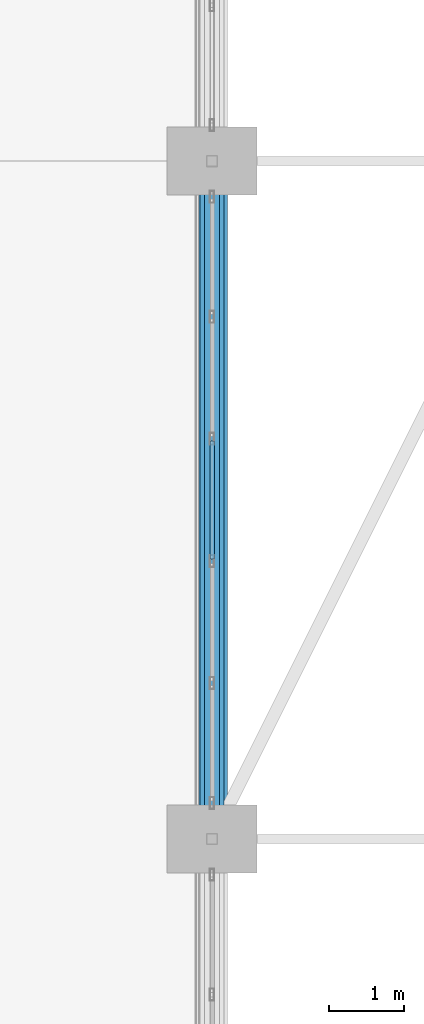
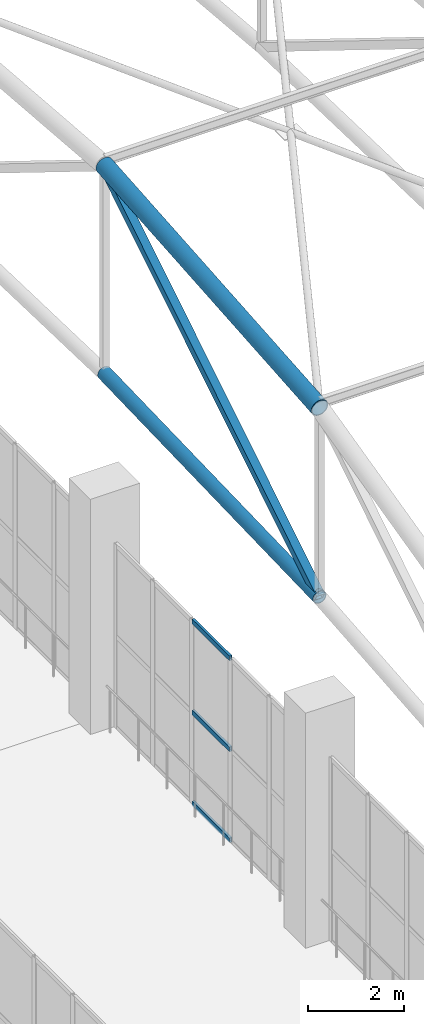
# One storey, part 111 of 223: 6 members, 1 element without a shape of its own.
"""IFC4 building model written with IfcOpenShell, lengths in metres."""

from ifc_helpers import new_model, si_unit, direction, frame, origin, origin_2d, place, context, subcontext, project, spatial, hollow_rectangle, hollow_circle, extrude, material, layer, layer_set, material_profile, profile_set, type_object, element, aggregate, save


model = new_model("IFC4")

# Units and contexts
model_context = context("Model", 3, precision=1e-05, world=origin(), true_north=direction((0.0, 1.0)))
body_context = subcontext(model_context, "Body", "Model", "MODEL_VIEW")
ifc_project = project(units=[si_unit("LENGTHUNIT", "METRE"), si_unit("AREAUNIT", "SQUARE_METRE"), si_unit("VOLUMEUNIT", "CUBIC_METRE"), si_unit("PLANEANGLEUNIT", "RADIAN"), si_unit("MASSUNIT", "GRAM", prefix="KILO")], contexts=[model_context])

# Site, building, storey
site_placement = place(None, origin())
site = spatial("IfcSite", under=ifc_project, at=site_placement, CompositionType="ELEMENT")
building_placement = place(site_placement, origin())
building = spatial("IfcBuilding", under=site, at=building_placement, Name="Dornveld Trade and Exhibition Forum", CompositionType="ELEMENT")
storey_placement = place(building_placement, frame((0.0, 0.0, 6.0)))
storey = spatial("IfcBuildingStorey", under=building, at=storey_placement, Name="L01", CompositionType="ELEMENT", Elevation=6.0)

# Curtain wall, members
ifc_material_1 = material(Name="Dark-bronze anodised aluminium and low-E glass", Category="aluminium")
ifc_layer = layer(ifc_material_1, 0.177978515625)
ifc_layer_set = layer_set([ifc_layer], Name="Dark-bronze anodised aluminium and low-E glass")
curtain_wall_type = type_object("IfcCurtainWallType", Name="CW-SYS-12", PredefinedType="USERDEFINED", material=ifc_layer_set)
curtain_wall_placement = place(storey_placement, origin())
curtain_wall = element("IfcCurtainWall", 1, at=curtain_wall_placement, inside=storey, type_object=curtain_wall_type, Name="L01 unitised curtain wall 12", ObjectType="UNITISED_CURTAIN_WALL", PredefinedType="USERDEFINED")
ifc_material_2 = material(Name="Dark-bronze anodised aluminium", Category="aluminium")
ifc_material_profile_1 = material_profile(ifc_material_2, hollow_rectangle(XDim=0.06005859375, YDim=0.1201171875, WallThickness=0.00390625, at=origin_2d()), Name="RHS 120x60x4")
ifc_profile_set_1 = profile_set([ifc_material_profile_1], Name="Dark-bronze anodised aluminium")
member_type_1 = type_object("IfcMemberType", Name="CW-TRN-120", PredefinedType="USERDEFINED", material=ifc_profile_set_1)
member_1_placement = place(storey_placement, frame((99.0, 131.28076171875, 0.02587890625), z_axis=(0.0, -1.0, 0.0), x_axis=(1.0, 0.0, 0.0)))
member_1 = element("IfcMember", 2, at=member_1_placement, type_object=member_type_1, Name="CW-12 transom 3.1", ObjectType="TRANSOM", PredefinedType="USERDEFINED", context=body_context, shape_type="SweptSolid", body=[
    extrude(hollow_rectangle(XDim=0.06005859375, YDim=0.1201171875, WallThickness=0.00390625, at=origin_2d()), origin(), (0.0, 0.0, 1.0), 1.5615234375),
])
member_2_placement = place(storey_placement, frame((99.0, 131.28076171875, 2.347900390625), z_axis=(0.0, -1.0, 0.0), x_axis=(1.0, 0.0, 0.0)))
member_2 = element("IfcMember", 3, at=member_2_placement, type_object=member_type_1, Name="CW-12 transom 3.2", ObjectType="TRANSOM", PredefinedType="USERDEFINED", context=body_context, shape_type="SweptSolid", body=[
    extrude(hollow_rectangle(XDim=0.06005859375, YDim=0.1201171875, WallThickness=0.00390625, at=origin_2d()), origin(), (0.0, 0.0, 1.0), 1.5615234375),
])
member_3_placement = place(storey_placement, frame((99.0, 131.28076171875, 4.669921875), z_axis=(0.0, -1.0, 0.0), x_axis=(1.0, 0.0, 0.0)))
member_3 = element("IfcMember", 4, at=member_3_placement, type_object=member_type_1, Name="CW-12 transom 3.3", ObjectType="TRANSOM", PredefinedType="USERDEFINED", context=body_context, shape_type="SweptSolid", body=[
    extrude(hollow_rectangle(XDim=0.06005859375, YDim=0.1201171875, WallThickness=0.00390625, at=origin_2d()), origin(), (0.0, 0.0, 1.0), 1.5615234375),
])
aggregate(curtain_wall, [member_1, member_2, member_3])

# Members
ifc_material_3 = material(Name="Steel S355J2", Category="steel")
ifc_material_profile_2 = material_profile(ifc_material_3, hollow_circle(Radius=0.161865234375, WallThickness=0.01611328125, at=origin_2d()), Name="CHS 323.9x16")
ifc_profile_set_2 = profile_set([ifc_material_profile_2], Name="Steel S355J2")
member_type_2 = type_object("IfcMemberType", Name="MEM-ARCH-BC", PredefinedType="CHORD", material=ifc_profile_set_2)
member_4_placement = place(storey_placement, frame((99.0, 126.0, 8.4833984375), z_axis=(0.0, 0.999561545365, 0.029609407757), x_axis=(-1.0, 0.0, 0.0)))
element("IfcMember", 5, at=member_4_placement, inside=storey, type_object=member_type_2, Name="H1 truss 1 tie chord 3", PredefinedType="CHORD", context=body_context, shape_type="SweptSolid", body=[
    extrude(hollow_circle(Radius=0.161865234375, WallThickness=0.01611328125, at=origin_2d()), origin(), (0.0, 0.0, 1.0), 9.00390625),
])
ifc_material_4 = material(Name="Steel S355J2", Category="steel")
ifc_material_profile_3 = material_profile(ifc_material_4, hollow_circle(Radius=0.203125, WallThickness=0.02001953125, at=origin_2d()), Name="CHS 406.4x20")
ifc_profile_set_3 = profile_set([ifc_material_profile_3], Name="Steel S355J2")
member_type_3 = type_object("IfcMemberType", Name="MEM-ARCH-TC", PredefinedType="CHORD", material=ifc_profile_set_3)
member_5_placement = place(storey_placement, frame((99.0, 126.0, 13.316650390625), z_axis=(0.0, 0.996696239312, 0.081219496064), x_axis=(-1.0, 0.0, 0.0)))
element("IfcMember", 6, at=member_5_placement, inside=storey, type_object=member_type_3, Name="H1 truss 1 top chord 3", PredefinedType="CHORD", context=body_context, shape_type="SweptSolid", body=[
    extrude(hollow_circle(Radius=0.203125, WallThickness=0.02001953125, at=origin_2d()), origin(), (0.0, 0.0, 1.0), 9.02978515625),
])
ifc_material_5 = material(Name="Steel S355J2", Category="steel")
ifc_material_profile_4 = material_profile(ifc_material_5, hollow_rectangle(XDim=0.199951171875, YDim=0.199951171875, WallThickness=0.010009765625, at=origin_2d()), Name="SHS 200x200x10")
ifc_profile_set_4 = profile_set([ifc_material_profile_4], Name="Steel S355J2")
member_type_4 = type_object("IfcMemberType", Name="MEM-ARCH-WEB", PredefinedType="BRACE", material=ifc_profile_set_4)
member_6_placement = place(storey_placement, frame((99.0, 126.0, 8.4833984375), z_axis=(0.0, 0.850467158024, 0.526028148603), x_axis=(-1.0, 0.0, 0.0)))
element("IfcMember", 7, at=member_6_placement, inside=storey, type_object=member_type_4, Name="H1 truss 1 web 3", PredefinedType="BRACE", context=body_context, shape_type="SweptSolid", body=[
    extrude(hollow_rectangle(XDim=0.199951171875, YDim=0.199951171875, WallThickness=0.010009765625, at=origin_2d()), origin(), (0.0, 0.0, 1.0), 10.58251953125),
])

save(model, "model.ifc")
